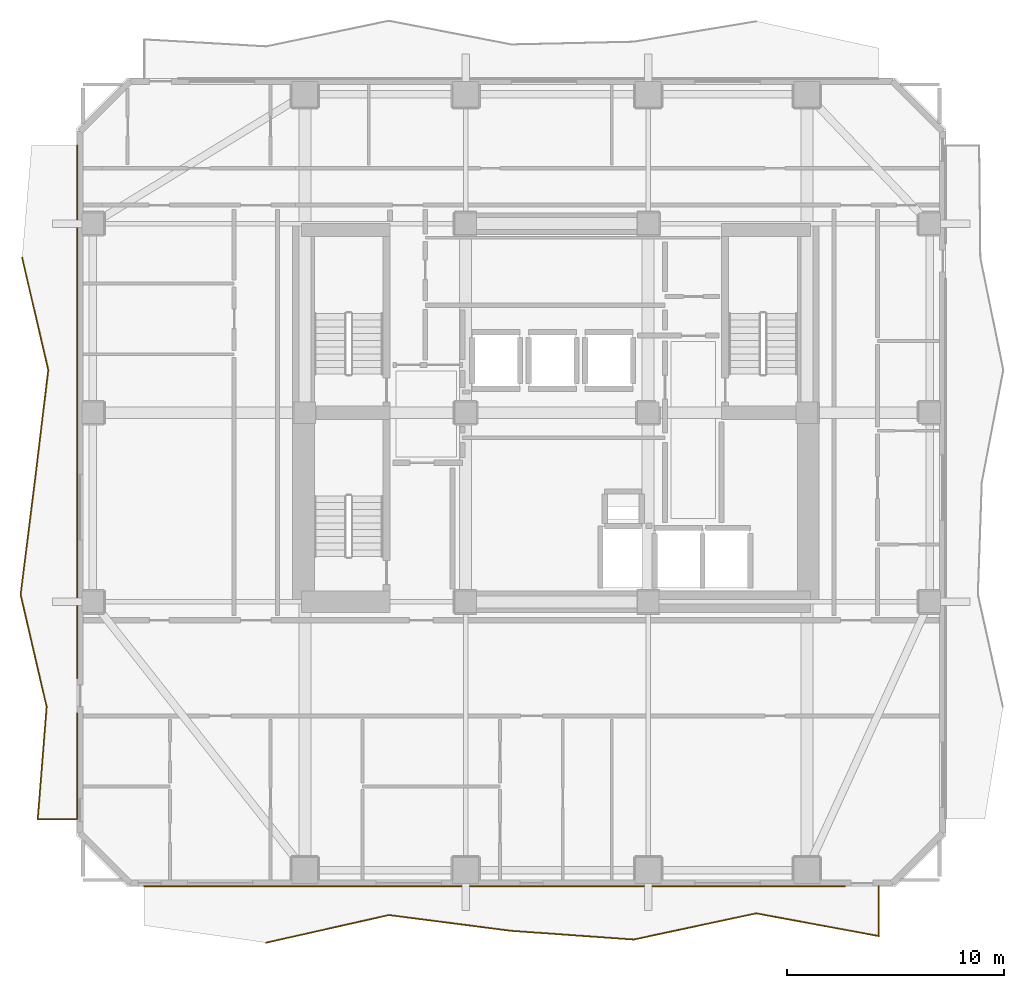
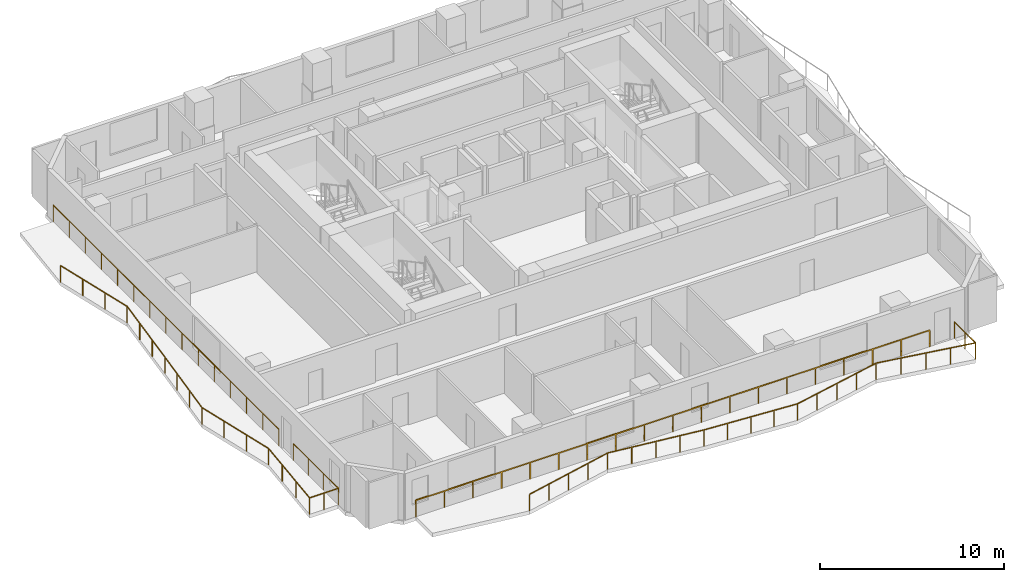
# One storey, part 7 of 10: 4 railings.
"""IFC4 building model written with IfcOpenShell, lengths in metres."""

from ifc_helpers import new_model, si_unit, direction, frame, origin, origin_2d, place, context, subcontext, project, spatial, rectangle, extrude, material, type_object, element, save


model = new_model("IFC4")

# Units and contexts
model_context = context("Model", 3, precision=1e-05, world=origin(), true_north=direction((0.0, 1.0)))
body_context = subcontext(model_context, "Body", "Model", "MODEL_VIEW")
ifc_project = project(units=[si_unit("LENGTHUNIT", "METRE"), si_unit("AREAUNIT", "SQUARE_METRE"), si_unit("VOLUMEUNIT", "CUBIC_METRE"), si_unit("PLANEANGLEUNIT", "RADIAN"), si_unit("MASSUNIT", "GRAM", prefix="KILO")], contexts=[model_context])

# Site, building, storey
site_placement = place(None, origin())
site = spatial("IfcSite", under=ifc_project, at=site_placement, CompositionType="ELEMENT")
building_placement = place(site_placement, origin())
building = spatial("IfcBuilding", under=site, at=building_placement, Name="Solanera Arch Residences", CompositionType="ELEMENT")
storey_placement = place(building_placement, frame((0.0, 0.0, 119.360107421875)))
storey = spatial("IfcBuildingStorey", under=building, at=storey_placement, Name="L34", CompositionType="ELEMENT", Elevation=119.360107421875)

# Railings
ifc_material = material(Name="Steel S355 (ASTM A992 / A572 Grade 50)", Category="steel")
railing_type = type_object("IfcRailingType", Name="Balustrade Railing BL-1100", PredefinedType="BALUSTRADE", material=ifc_material)
railing_1_placement = place(storey_placement, frame((11.633056640625, 6.31494140625, 0.0)))
element("IfcRailing", 1, at=railing_1_placement, inside=storey, type_object=railing_type, Name="L34 S Balcony Balustrade 1", PredefinedType="BALUSTRADE", context=body_context, shape_type="SweptSolid", body=[
    extrude(rectangle(XDim=0.048095703125, YDim=0.048095703125, at=origin_2d()), frame((0.0, 0.0, 1.09619140625), z_axis=(0.975558351687, 0.219740534388, 0.0), x_axis=(-0.219740534388, 0.975558351687, 0.0)), (0.0, 0.0, 1.0), 5.775146484375),
    extrude(rectangle(XDim=0.048095703125, YDim=0.048095703125, at=origin_2d()), frame((5.634033203125, 1.26904296875, 1.09619140625), z_axis=(0.991794401934, -0.127843123758, 0.0), x_axis=(0.127843123758, 0.991794401934, 0.0)), (0.0, 0.0, 1.0), 5.679443359375),
    extrude(rectangle(XDim=0.048095703125, YDim=0.048095703125, at=origin_2d()), frame((11.266845703125, 0.54296875, 1.09619140625), z_axis=(0.997489548388, -0.070813846499, 0.0), x_axis=(0.070813846499, 0.997489548388, 0.0)), (0.0, 0.0, 1.0), 5.647216796875),
    extrude(rectangle(XDim=0.048095703125, YDim=0.048095703125, at=origin_2d()), frame((16.89990234375, 0.14306640625, 1.09619140625), z_axis=(0.97788109995, 0.209161550867, 0.0), x_axis=(-0.209161550867, 0.97788109995, 0.0)), (0.0, 0.0, 1.0), 5.761474609375),
    extrude(rectangle(XDim=0.048095703125, YDim=0.048095703125, at=origin_2d()), frame((22.533935546875, 1.34814453125, 1.09619140625), z_axis=(0.983318442072, -0.181892389839, 0.0), x_axis=(0.181892389839, 0.983318442072, 0.0)), (0.0, 0.0, 1.0), 5.728515625),
    extrude(rectangle(XDim=0.048095703125, YDim=0.048095703125, at=origin_2d()), frame((28.1669921875, 0.30615234375, 1.09619140625), z_axis=(0.0, 1.0, 0.0), x_axis=(-1.0, 0.0, 0.0)), (0.0, 0.0, 1.0), 2.298828125),
    extrude(rectangle(XDim=0.0419921875, YDim=0.0419921875, at=origin_2d()), origin(), (0.0, 0.0, 1.0), 1.072021484375),
    extrude(rectangle(XDim=0.0419921875, YDim=0.0419921875, at=origin_2d()), frame((1.408447265625, 0.3173828125, 0.0)), (0.0, 0.0, 1.0), 1.072021484375),
    extrude(rectangle(XDim=0.0419921875, YDim=0.0419921875, at=origin_2d()), frame((2.81689453125, 0.634521484375, 0.0)), (0.0, 0.0, 1.0), 1.072021484375),
    extrude(rectangle(XDim=0.0419921875, YDim=0.0419921875, at=origin_2d()), frame((4.2255859375, 0.95166015625, 0.0)), (0.0, 0.0, 1.0), 1.072021484375),
    extrude(rectangle(XDim=0.0419921875, YDim=0.0419921875, at=origin_2d()), frame((5.634033203125, 1.26904296875, 0.0)), (0.0, 0.0, 1.0), 1.072021484375),
    extrude(rectangle(XDim=0.0419921875, YDim=0.0419921875, at=origin_2d()), frame((7.042236328125, 1.08740234375, 0.0)), (0.0, 0.0, 1.0), 1.072021484375),
    extrude(rectangle(XDim=0.0419921875, YDim=0.0419921875, at=origin_2d()), frame((8.450439453125, 0.906005859375, 0.0)), (0.0, 0.0, 1.0), 1.072021484375),
    extrude(rectangle(XDim=0.0419921875, YDim=0.0419921875, at=origin_2d()), frame((9.858642578125, 0.724609375, 0.0)), (0.0, 0.0, 1.0), 1.072021484375),
    extrude(rectangle(XDim=0.0419921875, YDim=0.0419921875, at=origin_2d()), frame((11.266845703125, 0.54296875, 0.0)), (0.0, 0.0, 1.0), 1.072021484375),
    extrude(rectangle(XDim=0.0419921875, YDim=0.0419921875, at=origin_2d()), frame((12.675048828125, 0.44287109375, 0.0)), (0.0, 0.0, 1.0), 1.072021484375),
    extrude(rectangle(XDim=0.0419921875, YDim=0.0419921875, at=origin_2d()), frame((14.08349609375, 0.343017578125, 0.0)), (0.0, 0.0, 1.0), 1.072021484375),
    extrude(rectangle(XDim=0.0419921875, YDim=0.0419921875, at=origin_2d()), frame((15.49169921875, 0.2431640625, 0.0)), (0.0, 0.0, 1.0), 1.072021484375),
    extrude(rectangle(XDim=0.0419921875, YDim=0.0419921875, at=origin_2d()), frame((16.89990234375, 0.14306640625, 0.0)), (0.0, 0.0, 1.0), 1.072021484375),
    extrude(rectangle(XDim=0.0419921875, YDim=0.0419921875, at=origin_2d()), frame((18.308349609375, 0.4443359375, 0.0)), (0.0, 0.0, 1.0), 1.072021484375),
    extrude(rectangle(XDim=0.0419921875, YDim=0.0419921875, at=origin_2d()), frame((19.716796875, 0.74560546875, 0.0)), (0.0, 0.0, 1.0), 1.072021484375),
    extrude(rectangle(XDim=0.0419921875, YDim=0.0419921875, at=origin_2d()), frame((21.12548828125, 1.046875, 0.0)), (0.0, 0.0, 1.0), 1.072021484375),
    extrude(rectangle(XDim=0.0419921875, YDim=0.0419921875, at=origin_2d()), frame((22.533935546875, 1.34814453125, 0.0)), (0.0, 0.0, 1.0), 1.072021484375),
    extrude(rectangle(XDim=0.0419921875, YDim=0.0419921875, at=origin_2d()), frame((23.942138671875, 1.087646484375, 0.0)), (0.0, 0.0, 1.0), 1.072021484375),
    extrude(rectangle(XDim=0.0419921875, YDim=0.0419921875, at=origin_2d()), frame((25.3505859375, 0.8271484375, 0.0)), (0.0, 0.0, 1.0), 1.072021484375),
    extrude(rectangle(XDim=0.0419921875, YDim=0.0419921875, at=origin_2d()), frame((26.7587890625, 0.566650390625, 0.0)), (0.0, 0.0, 1.0), 1.072021484375),
    extrude(rectangle(XDim=0.0419921875, YDim=0.0419921875, at=origin_2d()), frame((28.1669921875, 0.30615234375, 0.0)), (0.0, 0.0, 1.0), 1.072021484375),
    extrude(rectangle(XDim=0.0419921875, YDim=0.0419921875, at=origin_2d()), frame((28.1669921875, 1.45556640625, 0.0)), (0.0, 0.0, 1.0), 1.072021484375),
    extrude(rectangle(XDim=0.0419921875, YDim=0.0419921875, at=origin_2d()), frame((28.1669921875, 2.60498046875, 0.0)), (0.0, 0.0, 1.0), 1.072021484375),
])
railing_2_placement = place(storey_placement, frame((38.240966796875, 8.919921875, 0.0)))
element("IfcRailing", 2, at=railing_2_placement, inside=storey, type_object=railing_type, Name="L34 S Balcony Balustrade 2", PredefinedType="BALUSTRADE", context=body_context, shape_type="SweptSolid", body=[
    extrude(rectangle(XDim=0.048095703125, YDim=0.048095703125, at=origin_2d()), frame((0.0, 0.0, 1.09619140625), z_axis=(-1.0, 0.0, 0.0), x_axis=(0.0, -1.0, 0.0)), (0.0, 0.0, 1.0), 32.240966796875),
    extrude(rectangle(XDim=0.0419921875, YDim=0.0419921875, at=origin_2d()), origin(), (0.0, 0.0, 1.0), 1.072021484375),
    extrude(rectangle(XDim=0.0419921875, YDim=0.0419921875, at=origin_2d()), frame((-1.791259765625, 0.0, 0.0)), (0.0, 0.0, 1.0), 1.072021484375),
    extrude(rectangle(XDim=0.0419921875, YDim=0.0419921875, at=origin_2d()), frame((-3.582275390625, 0.0, 0.0)), (0.0, 0.0, 1.0), 1.072021484375),
    extrude(rectangle(XDim=0.0419921875, YDim=0.0419921875, at=origin_2d()), frame((-5.37353515625, 0.0, 0.0)), (0.0, 0.0, 1.0), 1.072021484375),
    extrude(rectangle(XDim=0.0419921875, YDim=0.0419921875, at=origin_2d()), frame((-7.16455078125, 0.0, 0.0)), (0.0, 0.0, 1.0), 1.072021484375),
    extrude(rectangle(XDim=0.0419921875, YDim=0.0419921875, at=origin_2d()), frame((-8.955810546875, 0.0, 0.0)), (0.0, 0.0, 1.0), 1.072021484375),
    extrude(rectangle(XDim=0.0419921875, YDim=0.0419921875, at=origin_2d()), frame((-10.7470703125, 0.0, 0.0)), (0.0, 0.0, 1.0), 1.072021484375),
    extrude(rectangle(XDim=0.0419921875, YDim=0.0419921875, at=origin_2d()), frame((-12.5380859375, 0.0, 0.0)), (0.0, 0.0, 1.0), 1.072021484375),
    extrude(rectangle(XDim=0.0419921875, YDim=0.0419921875, at=origin_2d()), frame((-14.329345703125, 0.0, 0.0)), (0.0, 0.0, 1.0), 1.072021484375),
    extrude(rectangle(XDim=0.0419921875, YDim=0.0419921875, at=origin_2d()), frame((-16.12060546875, 0.0, 0.0)), (0.0, 0.0, 1.0), 1.072021484375),
    extrude(rectangle(XDim=0.0419921875, YDim=0.0419921875, at=origin_2d()), frame((-17.91162109375, 0.0, 0.0)), (0.0, 0.0, 1.0), 1.072021484375),
    extrude(rectangle(XDim=0.0419921875, YDim=0.0419921875, at=origin_2d()), frame((-19.702880859375, 0.0, 0.0)), (0.0, 0.0, 1.0), 1.072021484375),
    extrude(rectangle(XDim=0.0419921875, YDim=0.0419921875, at=origin_2d()), frame((-21.493896484375, 0.0, 0.0)), (0.0, 0.0, 1.0), 1.072021484375),
    extrude(rectangle(XDim=0.0419921875, YDim=0.0419921875, at=origin_2d()), frame((-23.28515625, 0.0, 0.0)), (0.0, 0.0, 1.0), 1.072021484375),
    extrude(rectangle(XDim=0.0419921875, YDim=0.0419921875, at=origin_2d()), frame((-25.076416015625, 0.0, 0.0)), (0.0, 0.0, 1.0), 1.072021484375),
    extrude(rectangle(XDim=0.0419921875, YDim=0.0419921875, at=origin_2d()), frame((-26.867431640625, 0.0, 0.0)), (0.0, 0.0, 1.0), 1.072021484375),
    extrude(rectangle(XDim=0.0419921875, YDim=0.0419921875, at=origin_2d()), frame((-28.65869140625, 0.0, 0.0)), (0.0, 0.0, 1.0), 1.072021484375),
    extrude(rectangle(XDim=0.0419921875, YDim=0.0419921875, at=origin_2d()), frame((-30.44970703125, 0.0, 0.0)), (0.0, 0.0, 1.0), 1.072021484375),
    extrude(rectangle(XDim=0.0419921875, YDim=0.0419921875, at=origin_2d()), frame((-32.240966796875, 0.0, 0.0)), (0.0, 0.0, 1.0), 1.072021484375),
])
railing_3_placement = place(storey_placement, frame((0.39111328125, 37.8330078125, 0.0)))
element("IfcRailing", 3, at=railing_3_placement, inside=storey, type_object=railing_type, Name="L34 W Balcony Balustrade 1", PredefinedType="BALUSTRADE", context=body_context, shape_type="SweptSolid", body=[
    extrude(rectangle(XDim=0.048095703125, YDim=0.048095703125, at=origin_2d()), frame((0.0, 0.0, 1.09619140625), z_axis=(0.226603876138, -0.973987003671, 0.0), x_axis=(0.973987003671, 0.226603876138, 0.0)), (0.0, 0.0, 1.0), 5.303955078125),
    extrude(rectangle(XDim=0.048095703125, YDim=0.048095703125, at=origin_2d()), frame((1.201904296875, -5.166015625, 1.09619140625), z_axis=(-0.119899876556, -0.992785988822, 0.0), x_axis=(0.992785988822, -0.119899876556, 0.0)), (0.0, 0.0, 1.0), 5.20458984375),
    extrude(rectangle(XDim=0.048095703125, YDim=0.048095703125, at=origin_2d()), frame((0.577880859375, -10.3330078125, 1.09619140625), z_axis=(-0.124796328538, -0.992182380605, 0.0), x_axis=(0.992182380605, -0.124796328538, 0.0)), (0.0, 0.0, 1.0), 5.207763671875),
    extrude(rectangle(XDim=0.048095703125, YDim=0.048095703125, at=origin_2d()), frame((-0.072021484375, -15.5, 1.09619140625), z_axis=(0.226079785321, -0.974108787903, 0.0), x_axis=(0.974108787903, 0.226079785321, 0.0)), (0.0, 0.0, 1.0), 5.30322265625),
    extrude(rectangle(XDim=0.048095703125, YDim=0.048095703125, at=origin_2d()), frame((1.126953125, -20.666015625, 1.09619140625), z_axis=(-0.079131160371, -0.99686421315, 0.0), x_axis=(0.99686421315, -0.079131160371, 0.0)), (0.0, 0.0, 1.0), 5.183349609375),
    extrude(rectangle(XDim=0.048095703125, YDim=0.048095703125, at=origin_2d()), frame((0.716796875, -25.8330078125, 1.09619140625), z_axis=(1.0, 0.0, 0.0), x_axis=(0.0, 1.0, 0.0)), (0.0, 0.0, 1.0), 1.81201171875),
    extrude(rectangle(XDim=0.048095703125, YDim=0.048095703125, at=origin_2d()), frame((2.52880859375, -25.8330078125, 1.09619140625), z_axis=(0.0, 1.0, 0.0), x_axis=(-1.0, 0.0, 0.0)), (0.0, 0.0, 1.0), 4.873046875),
    extrude(rectangle(XDim=0.0419921875, YDim=0.0419921875, at=origin_2d()), origin(), (0.0, 0.0, 1.0), 1.072021484375),
    extrude(rectangle(XDim=0.0419921875, YDim=0.0419921875, at=origin_2d()), frame((0.400634765625, -1.721923828125, 0.0)), (0.0, 0.0, 1.0), 1.072021484375),
    extrude(rectangle(XDim=0.0419921875, YDim=0.0419921875, at=origin_2d()), frame((0.80126953125, -3.444091796875, 0.0)), (0.0, 0.0, 1.0), 1.072021484375),
    extrude(rectangle(XDim=0.0419921875, YDim=0.0419921875, at=origin_2d()), frame((1.201904296875, -5.166015625, 0.0)), (0.0, 0.0, 1.0), 1.072021484375),
    extrude(rectangle(XDim=0.0419921875, YDim=0.0419921875, at=origin_2d()), frame((0.993896484375, -6.888427734375, 0.0)), (0.0, 0.0, 1.0), 1.072021484375),
    extrude(rectangle(XDim=0.0419921875, YDim=0.0419921875, at=origin_2d()), frame((0.785888671875, -8.610595703125, 0.0)), (0.0, 0.0, 1.0), 1.072021484375),
    extrude(rectangle(XDim=0.0419921875, YDim=0.0419921875, at=origin_2d()), frame((0.577880859375, -10.3330078125, 0.0)), (0.0, 0.0, 1.0), 1.072021484375),
    extrude(rectangle(XDim=0.0419921875, YDim=0.0419921875, at=origin_2d()), frame((0.361328125, -12.055419921875, 0.0)), (0.0, 0.0, 1.0), 1.072021484375),
    extrude(rectangle(XDim=0.0419921875, YDim=0.0419921875, at=origin_2d()), frame((0.14453125, -13.777587890625, 0.0)), (0.0, 0.0, 1.0), 1.072021484375),
    extrude(rectangle(XDim=0.0419921875, YDim=0.0419921875, at=origin_2d()), frame((-0.072021484375, -15.5, 0.0)), (0.0, 0.0, 1.0), 1.072021484375),
    extrude(rectangle(XDim=0.0419921875, YDim=0.0419921875, at=origin_2d()), frame((0.32763671875, -17.221923828125, 0.0)), (0.0, 0.0, 1.0), 1.072021484375),
    extrude(rectangle(XDim=0.0419921875, YDim=0.0419921875, at=origin_2d()), frame((0.727294921875, -18.944091796875, 0.0)), (0.0, 0.0, 1.0), 1.072021484375),
    extrude(rectangle(XDim=0.0419921875, YDim=0.0419921875, at=origin_2d()), frame((1.126953125, -20.666015625, 0.0)), (0.0, 0.0, 1.0), 1.072021484375),
    extrude(rectangle(XDim=0.0419921875, YDim=0.0419921875, at=origin_2d()), frame((0.990234375, -22.388427734375, 0.0)), (0.0, 0.0, 1.0), 1.072021484375),
    extrude(rectangle(XDim=0.0419921875, YDim=0.0419921875, at=origin_2d()), frame((0.853515625, -24.110595703125, 0.0)), (0.0, 0.0, 1.0), 1.072021484375),
    extrude(rectangle(XDim=0.0419921875, YDim=0.0419921875, at=origin_2d()), frame((0.716796875, -25.8330078125, 0.0)), (0.0, 0.0, 1.0), 1.072021484375),
    extrude(rectangle(XDim=0.0419921875, YDim=0.0419921875, at=origin_2d()), frame((1.622802734375, -25.8330078125, 0.0)), (0.0, 0.0, 1.0), 1.072021484375),
    extrude(rectangle(XDim=0.0419921875, YDim=0.0419921875, at=origin_2d()), frame((2.52880859375, -25.8330078125, 0.0)), (0.0, 0.0, 1.0), 1.072021484375),
    extrude(rectangle(XDim=0.0419921875, YDim=0.0419921875, at=origin_2d()), frame((2.52880859375, -24.208740234375, 0.0)), (0.0, 0.0, 1.0), 1.072021484375),
    extrude(rectangle(XDim=0.0419921875, YDim=0.0419921875, at=origin_2d()), frame((2.52880859375, -22.584228515625, 0.0)), (0.0, 0.0, 1.0), 1.072021484375),
    extrude(rectangle(XDim=0.0419921875, YDim=0.0419921875, at=origin_2d()), frame((2.52880859375, -20.9599609375, 0.0)), (0.0, 0.0, 1.0), 1.072021484375),
])
railing_4_placement = place(storey_placement, frame((2.919921875, 18.472900390625, 0.0)))
element("IfcRailing", 4, at=railing_4_placement, inside=storey, type_object=railing_type, Name="L34 W Balcony Balustrade 2", PredefinedType="BALUSTRADE", context=body_context, shape_type="SweptSolid", body=[
    extrude(rectangle(XDim=0.048095703125, YDim=0.048095703125, at=origin_2d()), frame((0.0, 0.0, 1.09619140625), z_axis=(0.0, 1.0, 0.0), x_axis=(-1.0, 0.0, 0.0)), (0.0, 0.0, 1.0), 24.527099609375),
    extrude(rectangle(XDim=0.0419921875, YDim=0.0419921875, at=origin_2d()), origin(), (0.0, 0.0, 1.0), 1.072021484375),
    extrude(rectangle(XDim=0.0419921875, YDim=0.0419921875, at=origin_2d()), frame((0.0, 1.751953125, 0.0)), (0.0, 0.0, 1.0), 1.072021484375),
    extrude(rectangle(XDim=0.0419921875, YDim=0.0419921875, at=origin_2d()), frame((0.0, 3.50390625, 0.0)), (0.0, 0.0, 1.0), 1.072021484375),
    extrude(rectangle(XDim=0.0419921875, YDim=0.0419921875, at=origin_2d()), frame((0.0, 5.255859375, 0.0)), (0.0, 0.0, 1.0), 1.072021484375),
    extrude(rectangle(XDim=0.0419921875, YDim=0.0419921875, at=origin_2d()), frame((0.0, 7.0078125, 0.0)), (0.0, 0.0, 1.0), 1.072021484375),
    extrude(rectangle(XDim=0.0419921875, YDim=0.0419921875, at=origin_2d()), frame((0.0, 8.759765625, 0.0)), (0.0, 0.0, 1.0), 1.072021484375),
    extrude(rectangle(XDim=0.0419921875, YDim=0.0419921875, at=origin_2d()), frame((0.0, 10.51171875, 0.0)), (0.0, 0.0, 1.0), 1.072021484375),
    extrude(rectangle(XDim=0.0419921875, YDim=0.0419921875, at=origin_2d()), frame((0.0, 12.263671875, 0.0)), (0.0, 0.0, 1.0), 1.072021484375),
    extrude(rectangle(XDim=0.0419921875, YDim=0.0419921875, at=origin_2d()), frame((0.0, 14.015380859375, 0.0)), (0.0, 0.0, 1.0), 1.072021484375),
    extrude(rectangle(XDim=0.0419921875, YDim=0.0419921875, at=origin_2d()), frame((0.0, 15.767333984375, 0.0)), (0.0, 0.0, 1.0), 1.072021484375),
    extrude(rectangle(XDim=0.0419921875, YDim=0.0419921875, at=origin_2d()), frame((0.0, 17.519287109375, 0.0)), (0.0, 0.0, 1.0), 1.072021484375),
    extrude(rectangle(XDim=0.0419921875, YDim=0.0419921875, at=origin_2d()), frame((0.0, 19.271240234375, 0.0)), (0.0, 0.0, 1.0), 1.072021484375),
    extrude(rectangle(XDim=0.0419921875, YDim=0.0419921875, at=origin_2d()), frame((0.0, 21.023193359375, 0.0)), (0.0, 0.0, 1.0), 1.072021484375),
    extrude(rectangle(XDim=0.0419921875, YDim=0.0419921875, at=origin_2d()), frame((0.0, 22.775146484375, 0.0)), (0.0, 0.0, 1.0), 1.072021484375),
    extrude(rectangle(XDim=0.0419921875, YDim=0.0419921875, at=origin_2d()), frame((0.0, 24.527099609375, 0.0)), (0.0, 0.0, 1.0), 1.072021484375),
])

save(model, "model.ifc")
